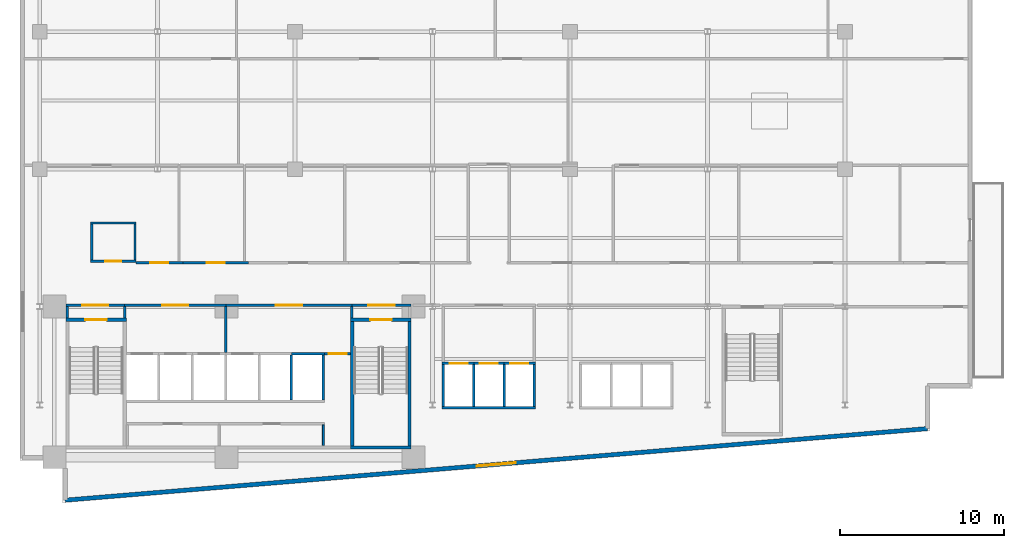
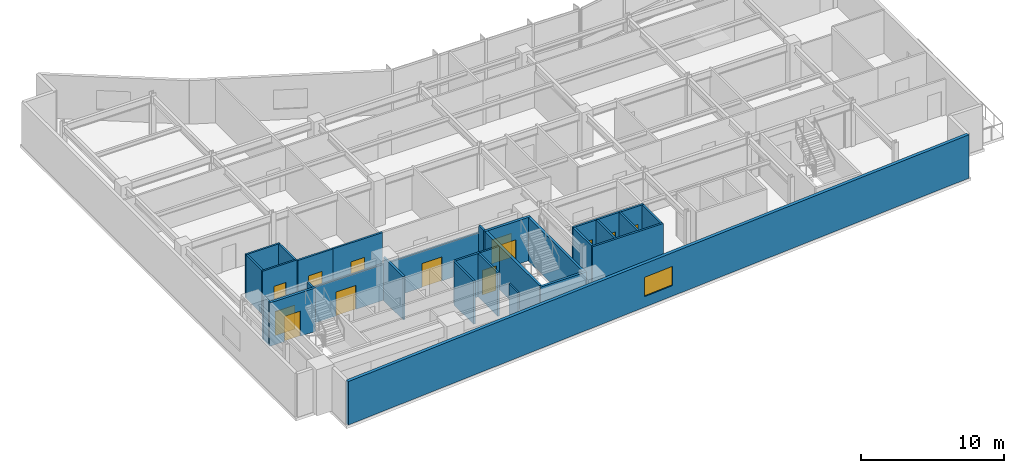
# One storey, part 10 of 18: 33 walls, 13 doors, 1 window, 14 openings.
"""IFC4 building model written with IfcOpenShell, lengths in metres."""

from ifc_helpers import new_model, si_unit, direction, frame, frame_2d, origin, place, context, subcontext, project, spatial, rectangle, extrude, material, layer, layer_set, type_object, element, fill, save


model = new_model("IFC4")

# Units and contexts
model_context = context("Model", 3, precision=1e-05, world=origin(), true_north=direction((0.0, 1.0)))
body_context = subcontext(model_context, "Body", "Model", "MODEL_VIEW")
ifc_project = project(units=[si_unit("LENGTHUNIT", "METRE"), si_unit("AREAUNIT", "SQUARE_METRE"), si_unit("VOLUMEUNIT", "CUBIC_METRE"), si_unit("PLANEANGLEUNIT", "RADIAN"), si_unit("MASSUNIT", "GRAM", prefix="KILO")], contexts=[model_context])

# Site, building, storey
site_placement = place(None, origin())
site = spatial("IfcSite", under=ifc_project, at=site_placement, CompositionType="ELEMENT")
building_placement = place(site_placement, origin())
building = spatial("IfcBuilding", under=site, at=building_placement, Name="Varnakote Quay Hospital", CompositionType="ELEMENT")
storey_placement = place(building_placement, frame((0.0, 0.0, 30.39990234375)))
storey = spatial("IfcBuildingStorey", under=building, at=storey_placement, Name="L07", CompositionType="ELEMENT", Elevation=30.39990234375)

# Wall
ifc_material_1 = material(Name="Fire-rated acoustic gypsum stud wall", Category="gypsum")
ifc_layer_1 = layer(ifc_material_1, 0.159912109375)
ifc_layer_set_1 = layer_set([ifc_layer_1], Name="Fire-rated acoustic gypsum stud wall")
wall_type_1 = type_object("IfcWallType", Name="WL-COMP-160", PredefinedType="PARTITIONING", material=ifc_layer_set_1)
wall_1_placement = place(storey_placement, frame((2.8798828125, 11.300048828125, 0.0), z_axis=(0.0, 0.0, 1.0), x_axis=(0.0, 1.0, 0.0)))
element("IfcWall", 1, at=wall_1_placement, inside=storey, type_object=wall_type_1, Name="L07 West Stair Vestibule West Wall", PredefinedType="PARTITIONING", context=body_context, shape_type="SweptSolid", body=[
    extrude(rectangle(XDim=0.699951171875, YDim=0.159912109375, at=frame_2d((0.35009765625, 0.0))), origin(), (0.0, 0.0, 1.0), 3.710205078125),
])

# Wall, opening, door
wall_2_placement = place(storey_placement, frame((2.800048828125, 12.080078125, 0.0), z_axis=(0.0, 0.0, 1.0), x_axis=(1.0, 0.0, 0.0)))
wall_2 = element("IfcWall", 2, at=wall_2_placement, inside=storey, type_object=wall_type_1, Name="L07 West Stair Vestibule Smoke Wall", PredefinedType="PARTITIONING", context=body_context, shape_type="SweptSolid", body=[
    extrude(rectangle(XDim=3.599853515625, YDim=0.159912109375, at=frame_2d((1.7998046875, 0.0))), origin(), (0.0, 0.0, 1.0), 3.072998046875),
])
opening_1_placement = place(wall_2_placement, frame((1.0, 0.0, 0.0)))
opening_1 = element("IfcOpeningElement", 3, at=opening_1_placement, cuts=wall_2, Name="Opening D-ST1L-L07", PredefinedType="OPENING", context=body_context, shape_type="SweptSolid", body=[
    extrude(rectangle(XDim=1.60009765625, YDim=2.050048828125, at=frame_2d((0.800048828125, 1.02490234375))), frame((0.0, 0.08984375, 0.0), z_axis=(0.0, -1.0, 0.0), x_axis=(1.0, 0.0, 0.0)), (0.0, 0.0, 1.0), 0.179931640625),
])
ifc_material_2 = material(Name="Fire-rated double smoke lobby door")
door_type_1 = type_object("IfcDoorType", Name="DR-LOBBY-FD60S-1600x2150", OperationType="NOTDEFINED", PredefinedType="DOOR", material=ifc_material_2)
door_1_placement = place(opening_1_placement, origin())
door_1 = element("IfcDoor", 4, at=door_1_placement, inside=storey, type_object=door_type_1, Name="L07 West Stair Vestibule Smoke Door", OperationType="DOUBLE_DOOR_SINGLE_SWING", OverallHeight=2.050048828125, OverallWidth=1.60009765625, PredefinedType="DOOR", context=body_context, shape_type="SweptSolid", body=[
    extrude(rectangle(XDim=1.60009765625, YDim=2.050048828125, at=frame_2d((0.800048828125, 1.02490234375))), frame((0.0, 0.02490234375, 0.0), z_axis=(0.0, -1.0, 0.0), x_axis=(1.0, 0.0, 0.0)), (0.0, 0.0, 1.0), 0.050048828125),
])
fill(opening_1, door_1)

# Wall
wall_3_placement = place(storey_placement, frame((6.39990234375, 11.300048828125, 0.0), z_axis=(0.0, 0.0, 1.0), x_axis=(0.0, 1.0, 0.0)))
element("IfcWall", 5, at=wall_3_placement, inside=storey, type_object=wall_type_1, Name="L07 Firefighting Lobby West Wall", PredefinedType="PARTITIONING", context=body_context, shape_type="SweptSolid", body=[
    extrude(rectangle(XDim=0.699951171875, YDim=0.159912109375, at=frame_2d((0.35009765625, 0.0))), origin(), (0.0, 0.0, 1.0), 3.710205078125),
])

# Wall, opening, door
wall_4_placement = place(storey_placement, frame((6.39990234375, 12.080078125, 0.0), z_axis=(0.0, 0.0, 1.0), x_axis=(1.0, 0.0, 0.0)))
wall_4 = element("IfcWall", 6, at=wall_4_placement, inside=storey, type_object=wall_type_1, Name="L07 Firefighting Lift Lobby Compartment Wall", PredefinedType="PARTITIONING", context=body_context, shape_type="SweptSolid", body=[
    extrude(rectangle(XDim=6.18017578125, YDim=0.159912109375, at=frame_2d((3.090087890625, 0.0))), origin(), (0.0, 0.0, 1.0), 3.072998046875),
])
opening_2_placement = place(wall_4_placement, frame((2.2900390625, 0.0, 0.0)))
opening_2 = element("IfcOpeningElement", 7, at=opening_2_placement, cuts=wall_4, Name="Opening D-FFL-L07", PredefinedType="OPENING", context=body_context, shape_type="SweptSolid", body=[
    extrude(rectangle(XDim=1.60009765625, YDim=2.050048828125, at=frame_2d((0.800048828125, 1.02490234375))), frame((0.0, 0.08984375, 0.0), z_axis=(0.0, -1.0, 0.0), x_axis=(1.0, 0.0, 0.0)), (0.0, 0.0, 1.0), 0.179931640625),
])
door_2_placement = place(opening_2_placement, origin())
door_2 = element("IfcDoor", 8, at=door_2_placement, inside=storey, type_object=door_type_1, Name="L07 Firefighting Smoke Vestibule Door", OperationType="DOUBLE_DOOR_SINGLE_SWING", OverallHeight=2.050048828125, OverallWidth=1.60009765625, PredefinedType="DOOR", context=body_context, shape_type="SweptSolid", body=[
    extrude(rectangle(XDim=1.60009765625, YDim=2.050048828125, at=frame_2d((0.800048828125, 1.02490234375))), frame((0.0, 0.02490234375, 0.0), z_axis=(0.0, -1.0, 0.0), x_axis=(1.0, 0.0, 0.0)), (0.0, 0.0, 1.0), 0.050048828125),
])
fill(opening_2, door_2)

# Wall
wall_5_placement = place(storey_placement, frame((12.580078125, 9.2099609375, 0.0), z_axis=(0.0, 0.0, 1.0), x_axis=(0.0, 1.0, 0.0)))
element("IfcWall", 9, at=wall_5_placement, inside=storey, type_object=wall_type_1, Name="L07 Firefighting to Service Lobby Wall", PredefinedType="PARTITIONING", context=body_context, shape_type="SweptSolid", body=[
    extrude(rectangle(XDim=2.7900390625, YDim=0.159912109375, at=frame_2d((1.39501953125, 0.0))), origin(), (0.0, 0.0, 1.0), 3.710205078125),
])

# Wall, opening, door
wall_6_placement = place(storey_placement, frame((12.580078125, 12.080078125, 0.0), z_axis=(0.0, 0.0, 1.0), x_axis=(1.0, 0.0, 0.0)))
wall_6 = element("IfcWall", 10, at=wall_6_placement, inside=storey, type_object=wall_type_1, Name="L07 Clinical Bed Lift Lobby Wall", PredefinedType="PARTITIONING", context=body_context, shape_type="SweptSolid", body=[
    extrude(rectangle(XDim=7.699951171875, YDim=0.159912109375, at=frame_2d((3.85009765625, 0.0))), origin(), (0.0, 0.0, 1.0), 3.072998046875),
])
opening_3_placement = place(wall_6_placement, frame((3.050048828125, 0.0, 0.0)))
opening_3 = element("IfcOpeningElement", 11, at=opening_3_placement, cuts=wall_6, Name="Opening D-SVL-L07", PredefinedType="OPENING", context=body_context, shape_type="SweptSolid", body=[
    extrude(rectangle(XDim=1.60009765625, YDim=2.050048828125, at=frame_2d((0.800048828125, 1.02490234375))), frame((0.0, 0.08984375, 0.0), z_axis=(0.0, -1.0, 0.0), x_axis=(1.0, 0.0, 0.0)), (0.0, 0.0, 1.0), 0.179931640625),
])
door_3_placement = place(opening_3_placement, origin())
door_3 = element("IfcDoor", 12, at=door_3_placement, inside=storey, type_object=door_type_1, Name="L07 Clinical Core Smoke Vestibule Door", OperationType="DOUBLE_DOOR_SINGLE_SWING", OverallHeight=2.050048828125, OverallWidth=1.60009765625, PredefinedType="DOOR", context=body_context, shape_type="SweptSolid", body=[
    extrude(rectangle(XDim=1.60009765625, YDim=2.050048828125, at=frame_2d((0.800048828125, 1.02490234375))), frame((0.0, 0.02490234375, 0.0), z_axis=(0.0, -1.0, 0.0), x_axis=(1.0, 0.0, 0.0)), (0.0, 0.0, 1.0), 0.050048828125),
])
fill(opening_3, door_3)

# Wall
wall_7_placement = place(storey_placement, frame((20.280029296875, 11.300048828125, 0.0), z_axis=(0.0, 0.0, 1.0), x_axis=(0.0, 1.0, 0.0)))
element("IfcWall", 13, at=wall_7_placement, inside=storey, type_object=wall_type_1, Name="L07 East Stair Vestibule Divider Wall", PredefinedType="PARTITIONING", context=body_context, shape_type="SweptSolid", body=[
    extrude(rectangle(XDim=0.699951171875, YDim=0.159912109375, at=frame_2d((0.35009765625, 0.0))), origin(), (0.0, 0.0, 1.0), 3.710205078125),
])

# Wall, opening, door
wall_8_placement = place(storey_placement, frame((20.280029296875, 12.080078125, 0.0), z_axis=(0.0, 0.0, 1.0), x_axis=(1.0, 0.0, 0.0)))
wall_8 = element("IfcWall", 14, at=wall_8_placement, inside=storey, type_object=wall_type_1, Name="L07 East Stair Vestibule Smoke Wall", PredefinedType="PARTITIONING", context=body_context, shape_type="SweptSolid", body=[
    extrude(rectangle(XDim=3.619873046875, YDim=0.159912109375, at=frame_2d((1.81005859375, 0.0))), origin(), (0.0, 0.0, 1.0), 3.072998046875),
])
opening_4_placement = place(wall_8_placement, frame((1.010009765625, 0.0, 0.0)))
opening_4 = element("IfcOpeningElement", 15, at=opening_4_placement, cuts=wall_8, Name="Opening D-ST2L-L07", PredefinedType="OPENING", context=body_context, shape_type="SweptSolid", body=[
    extrude(rectangle(XDim=1.60009765625, YDim=2.050048828125, at=frame_2d((0.800048828125, 1.02490234375))), frame((0.0, 0.08984375, 0.0), z_axis=(0.0, -1.0, 0.0), x_axis=(1.0, 0.0, 0.0)), (0.0, 0.0, 1.0), 0.179931640625),
])
door_4_placement = place(opening_4_placement, origin())
door_4 = element("IfcDoor", 16, at=door_4_placement, inside=storey, type_object=door_type_1, Name="L07 East Stair Vestibule Smoke Door", OperationType="DOUBLE_DOOR_SINGLE_SWING", OverallHeight=2.050048828125, OverallWidth=1.60009765625, PredefinedType="DOOR", context=body_context, shape_type="SweptSolid", body=[
    extrude(rectangle(XDim=1.60009765625, YDim=2.050048828125, at=frame_2d((0.800048828125, 1.02490234375))), frame((0.0, 0.02490234375, 0.0), z_axis=(0.0, -1.0, 0.0), x_axis=(1.0, 0.0, 0.0)), (0.0, 0.0, 1.0), 0.050048828125),
])
fill(opening_4, door_4)

# Wall, opening, window
ifc_material_3 = material(Name="Precast concrete N50 (f'c 50 MPa)", Category="concrete")
ifc_layer_2 = layer(ifc_material_3, 0.260009765625)
ifc_layer_set_2 = layer_set([ifc_layer_2], Name="Precast concrete N50 (f'c 50 MPa)")
wall_type_2 = type_object("IfcWallType", Name="WL-EXT-BRICK-260", PredefinedType="STANDARD", material=ifc_layer_set_2)
wall_9_placement = place(storey_placement, frame((2.760009765625, 0.173828125, 0.0), z_axis=(0.0, 0.0, 1.0), x_axis=(0.996571478456, 0.082736257641, 0.0)))
wall_9 = element("IfcWall", 17, at=wall_9_placement, inside=storey, type_object=wall_type_2, Name="L07 Brick-Faced Precast Exterior Wall", PredefinedType="STANDARD", context=body_context, shape_type="SweptSolid", body=[
    extrude(rectangle(XDim=52.861083984375, YDim=0.260009765625, at=frame_2d((26.4306640625, 0.0))), origin(), (0.0, 0.0, 1.0), 3.710205078125),
])
opening_5_placement = place(wall_9_placement, frame((25.230712890625, 0.0, 0.89990234375)))
opening_5 = element("IfcOpeningElement", 18, at=opening_5_placement, cuts=wall_9, Name="Opening WN-0042", PredefinedType="OPENING", context=body_context, shape_type="SweptSolid", body=[
    extrude(rectangle(XDim=2.39990234375, YDim=1.64990234375, at=frame_2d((1.199951171875, 0.824951171875))), frame((0.0, 0.139892578125, 0.0), z_axis=(0.0, -1.0, 0.0), x_axis=(1.0, 0.0, 0.0)), (0.0, 0.0, 1.0), 0.280029296875),
])
ifc_material_4 = material(Name="Double-glazed low-E solar glass", Category="glass")
window_type = type_object("IfcWindowType", Name="WIN-CLIN-2400x1650", PartitioningType="SINGLE_PANEL", PredefinedType="WINDOW", material=ifc_material_4)
window_placement = place(opening_5_placement, origin())
window = element("IfcWindow", 19, at=window_placement, inside=storey, type_object=window_type, Name="L07 Solar-Control Clinical Window", OverallHeight=1.64990234375, OverallWidth=2.39990234375, PartitioningType="SINGLE_PANEL", PredefinedType="WINDOW", context=body_context, shape_type="SweptSolid", body=[
    extrude(rectangle(XDim=2.39990234375, YDim=1.64990234375, at=frame_2d((1.199951171875, 0.824951171875))), frame((0.0, 0.030029296875, 0.0), z_axis=(0.0, -1.0, 0.0), x_axis=(1.0, 0.0, 0.0)), (0.0, 0.0, 1.0), 0.06005859375),
])
fill(opening_5, window)

# Walls
ifc_material_5 = material(Name="Concrete N50 (f'c 50 MPa)", Category="concrete")
ifc_layer_3 = layer(ifc_material_5, 0.14990234375)
ifc_layer_set_3 = layer_set([ifc_layer_3], Name="Concrete N50 (f'c 50 MPa)")
wall_type_3 = type_object("IfcWallType", Name="WL-SHAFT-N50-150", PredefinedType="SHEAR", material=ifc_layer_set_3)
wall_10_placement = place(storey_placement, frame((16.574951171875, 6.300048828125, 0.0), z_axis=(0.0, 0.0, 1.0), x_axis=(0.0, 1.0, 0.0)))
element("IfcWall", 20, at=wall_10_placement, inside=storey, type_object=wall_type_3, Name="L07 LF-PH1 Hoistway Divider Wall", PredefinedType="SHEAR", context=body_context, shape_type="SweptSolid", body=[
    extrude(rectangle(XDim=2.75, YDim=0.14990234375, at=frame_2d((1.375, 0.0))), origin(), (0.0, 0.0, 1.0), 3.710205078125),
])
for number, where, z_axis, x_axis, name in (
    (21, (27.72509765625, 5.89990234375, 0.0), (0.0, 0.0, 1.0), (0.0, 1.0, 0.0), "L07 LF-PL1 Hoistway Divider Wall"),
    (22, (29.574951171875, 5.89990234375, 0.0), (0.0, 0.0, 1.0), (0.0, 1.0, 0.0), "L07 LF-PL2 Hoistway Divider Wall"),
):
    element("IfcWall", number, at=place(storey_placement, frame(where, z_axis=z_axis, x_axis=x_axis)), inside=storey, type_object=wall_type_3, Name=name, PredefinedType="SHEAR", context=body_context, shape_type="SweptSolid", body=[
        extrude(rectangle(XDim=2.550048828125, YDim=0.14990234375, at=frame_2d((1.27490234375, 0.0))), origin(), (0.0, 0.0, 1.0), 3.710205078125),
    ])
ifc_material_6 = material(Name="Concrete N50 (f'c 50 MPa)", Category="concrete")
ifc_layer_4 = layer(ifc_material_6, 0.159912109375)
ifc_layer_set_4 = layer_set([ifc_layer_4], Name="Concrete N50 (f'c 50 MPa)")
wall_type_4 = type_object("IfcWallType", Name="WL-SHAFT-N50-160", PredefinedType="SHEAR", material=ifc_layer_set_4)
wall_11_placement = place(storey_placement, frame((18.530029296875, 6.300048828125, 0.0), z_axis=(0.0, 0.0, 1.0), x_axis=(0.0, 1.0, 0.0)))
element("IfcWall", 23, at=wall_11_placement, inside=storey, type_object=wall_type_4, Name="L07 REAR Lift Bank East Shear Wall", PredefinedType="SHEAR", context=body_context, shape_type="SweptSolid", body=[
    extrude(rectangle(XDim=2.75, YDim=0.159912109375, at=frame_2d((1.375, 0.0))), origin(), (0.0, 0.0, 1.0), 3.710205078125),
])
wall_12_placement = place(storey_placement, frame((16.574951171875, 9.1298828125, 0.0), z_axis=(0.0, 0.0, 1.0), x_axis=(1.0, 0.0, 0.0)))
element("IfcWall", 24, at=wall_12_placement, inside=storey, type_object=wall_type_4, Name="L07 LF-PH2 Hoistway Front Wall", PredefinedType="SHEAR", context=body_context, shape_type="SweptSolid", body=[
    extrude(rectangle(XDim=2.03515625, YDim=0.159912109375, at=frame_2d((1.017578125, 0.0))), origin(), (0.0, 0.0, 1.0), 3.710205078125),
])
wall_13_placement = place(storey_placement, frame((25.7900390625, 5.820068359375, 0.0), z_axis=(0.0, 0.0, 1.0), x_axis=(1.0, 0.0, 0.0)))
element("IfcWall", 25, at=wall_13_placement, inside=storey, type_object=wall_type_4, Name="L07 LOW Lift Bank Back Shear Wall", PredefinedType="SHEAR", context=body_context, shape_type="SweptSolid", body=[
    extrude(rectangle(XDim=5.719970703125, YDim=0.159912109375, at=frame_2d((2.85986328125, 0.0))), origin(), (0.0, 0.0, 1.0), 3.710205078125),
])
for number, where, z_axis, x_axis, name in (
    (26, (25.8701171875, 5.89990234375, 0.0), (0.0, 0.0, 1.0), (0.0, 1.0, 0.0), "L07 LOW Lift Bank West Shear Wall"),
    (27, (31.429931640625, 5.89990234375, 0.0), (0.0, 0.0, 1.0), (0.0, 1.0, 0.0), "L07 LOW Lift Bank East Shear Wall"),
):
    element("IfcWall", number, at=place(storey_placement, frame(where, z_axis=z_axis, x_axis=x_axis)), inside=storey, type_object=wall_type_4, Name=name, PredefinedType="SHEAR", context=body_context, shape_type="SweptSolid", body=[
        extrude(rectangle(XDim=2.550048828125, YDim=0.159912109375, at=frame_2d((1.27490234375, 0.0))), origin(), (0.0, 0.0, 1.0), 3.710205078125),
    ])

# Wall, opening, door
wall_14_placement = place(storey_placement, frame((25.7900390625, 8.530029296875, 0.0), z_axis=(0.0, 0.0, 1.0), x_axis=(1.0, 0.0, 0.0)))
wall_14 = element("IfcWall", 28, at=wall_14_placement, inside=storey, type_object=wall_type_4, Name="L07 LF-PL1 Hoistway Front Wall", PredefinedType="SHEAR", context=body_context, shape_type="SweptSolid", body=[
    extrude(rectangle(XDim=1.93505859375, YDim=0.159912109375, at=frame_2d((0.967529296875, 0.0))), origin(), (0.0, 0.0, 1.0), 3.710205078125),
])
opening_6_placement = place(wall_14_placement, frame((0.4599609375, 0.0, 0.0)))
opening_6 = element("IfcOpeningElement", 29, at=opening_6_placement, cuts=wall_14, Name="Opening LD-PL1-L07", PredefinedType="OPENING", context=body_context, shape_type="SweptSolid", body=[
    extrude(rectangle(XDim=1.10009765625, YDim=2.14990234375, at=frame_2d((0.550048828125, 1.074951171875))), frame((0.0, 0.08984375, 0.0), z_axis=(0.0, -1.0, 0.0), x_axis=(1.0, 0.0, 0.0)), (0.0, 0.0, 1.0), 0.179931640625),
])
ifc_material_7 = material(Name="Brushed bronze lift landing sliding door")
door_type_2 = type_object("IfcDoorType", Name="DR-LIFT-LD-1100x2150", OperationType="NOTDEFINED", PredefinedType="DOOR", material=ifc_material_7)
door_5_placement = place(opening_6_placement, origin())
door_5 = element("IfcDoor", 30, at=door_5_placement, inside=storey, type_object=door_type_2, Name="L07 LF-PL1 Lift Landing Sliding Door", OperationType="SLIDING_TO_LEFT", OverallHeight=2.14990234375, OverallWidth=1.10009765625, PredefinedType="DOOR", context=body_context, shape_type="SweptSolid", body=[
    extrude(rectangle(XDim=1.10009765625, YDim=2.14990234375, at=frame_2d((0.550048828125, 1.074951171875))), frame((0.0, 0.02490234375, 0.0), z_axis=(0.0, -1.0, 0.0), x_axis=(1.0, 0.0, 0.0)), (0.0, 0.0, 1.0), 0.050048828125),
])
fill(opening_6, door_5)

wall_15_placement = place(storey_placement, frame((27.72509765625, 8.530029296875, 0.0), z_axis=(0.0, 0.0, 1.0), x_axis=(1.0, 0.0, 0.0)))
wall_15 = element("IfcWall", 31, at=wall_15_placement, inside=storey, type_object=wall_type_4, Name="L07 LF-PL2 Hoistway Front Wall", PredefinedType="SHEAR", context=body_context, shape_type="SweptSolid", body=[
    extrude(rectangle(XDim=1.849853515625, YDim=0.159912109375, at=frame_2d((0.9248046875, 0.0))), origin(), (0.0, 0.0, 1.0), 3.710205078125),
])
opening_7_placement = place(wall_15_placement, frame((0.375, 0.0, 0.0)))
opening_7 = element("IfcOpeningElement", 32, at=opening_7_placement, cuts=wall_15, Name="Opening LD-PL2-L07", PredefinedType="OPENING", context=body_context, shape_type="SweptSolid", body=[
    extrude(rectangle(XDim=1.10009765625, YDim=2.14990234375, at=frame_2d((0.550048828125, 1.074951171875))), frame((0.0, 0.08984375, 0.0), z_axis=(0.0, -1.0, 0.0), x_axis=(1.0, 0.0, 0.0)), (0.0, 0.0, 1.0), 0.179931640625),
])
door_6_placement = place(opening_7_placement, origin())
door_6 = element("IfcDoor", 33, at=door_6_placement, inside=storey, type_object=door_type_2, Name="L07 LF-PL2 Lift Landing Sliding Door", OperationType="SLIDING_TO_LEFT", OverallHeight=2.14990234375, OverallWidth=1.10009765625, PredefinedType="DOOR", context=body_context, shape_type="SweptSolid", body=[
    extrude(rectangle(XDim=1.10009765625, YDim=2.14990234375, at=frame_2d((0.550048828125, 1.074951171875))), frame((0.0, 0.02490234375, 0.0), z_axis=(0.0, -1.0, 0.0), x_axis=(1.0, 0.0, 0.0)), (0.0, 0.0, 1.0), 0.050048828125),
])
fill(opening_7, door_6)

wall_16_placement = place(storey_placement, frame((29.574951171875, 8.530029296875, 0.0), z_axis=(0.0, 0.0, 1.0), x_axis=(1.0, 0.0, 0.0)))
wall_16 = element("IfcWall", 34, at=wall_16_placement, inside=storey, type_object=wall_type_4, Name="L07 LF-PL3 Hoistway Front Wall", PredefinedType="SHEAR", context=body_context, shape_type="SweptSolid", body=[
    extrude(rectangle(XDim=1.93505859375, YDim=0.159912109375, at=frame_2d((0.967529296875, 0.0))), origin(), (0.0, 0.0, 1.0), 3.710205078125),
])
opening_8_placement = place(wall_16_placement, frame((0.375, 0.0, 0.0)))
opening_8 = element("IfcOpeningElement", 35, at=opening_8_placement, cuts=wall_16, Name="Opening LD-PL3-L07", PredefinedType="OPENING", context=body_context, shape_type="SweptSolid", body=[
    extrude(rectangle(XDim=1.10009765625, YDim=2.14990234375, at=frame_2d((0.550048828125, 1.074951171875))), frame((0.0, 0.08984375, 0.0), z_axis=(0.0, -1.0, 0.0), x_axis=(1.0, 0.0, 0.0)), (0.0, 0.0, 1.0), 0.179931640625),
])
door_7_placement = place(opening_8_placement, origin())
door_7 = element("IfcDoor", 36, at=door_7_placement, inside=storey, type_object=door_type_2, Name="L07 LF-PL3 Lift Landing Sliding Door", OperationType="SLIDING_TO_LEFT", OverallHeight=2.14990234375, OverallWidth=1.10009765625, PredefinedType="DOOR", context=body_context, shape_type="SweptSolid", body=[
    extrude(rectangle(XDim=1.10009765625, YDim=2.14990234375, at=frame_2d((0.550048828125, 1.074951171875))), frame((0.0, 0.02490234375, 0.0), z_axis=(0.0, -1.0, 0.0), x_axis=(1.0, 0.0, 0.0)), (0.0, 0.0, 1.0), 0.050048828125),
])
fill(opening_8, door_7)

ifc_material_8 = material(Name="Concrete N50 (f'c 50 MPa)", Category="concrete")
ifc_layer_5 = layer(ifc_material_8, 0.199951171875)
ifc_layer_set_5 = layer_set([ifc_layer_5], Name="Concrete N50 (f'c 50 MPa)")
wall_type_5 = type_object("IfcWallType", Name="WL-SHAFT-N50-200", PredefinedType="SHEAR", material=ifc_layer_set_5)
wall_17_placement = place(storey_placement, frame((2.800048828125, 11.199951171875, 0.0), z_axis=(0.0, 0.0, 1.0), x_axis=(1.0, 0.0, 0.0)))
wall_17 = element("IfcWall", 37, at=wall_17_placement, inside=storey, type_object=wall_type_5, Name="L07 Stair ST1 Exit Wall", PredefinedType="SHEAR", context=body_context, shape_type="SweptSolid", body=[
    extrude(rectangle(XDim=3.699951171875, YDim=0.199951171875, at=frame_2d((1.85009765625, 0.0))), origin(), (0.0, 0.0, 1.0), 3.710205078125),
])
opening_9_placement = place(wall_17_placement, frame((1.199951171875, 0.0, 0.0)))
opening_9 = element("IfcOpeningElement", 38, at=opening_9_placement, cuts=wall_17, Name="Opening D-ST1-L07", PredefinedType="OPENING", context=body_context, shape_type="SweptSolid", body=[
    extrude(rectangle(XDim=1.300048828125, YDim=2.14990234375, at=frame_2d((0.64990234375, 1.074951171875))), frame((0.0, 0.10986328125, 0.0), z_axis=(0.0, -1.0, 0.0), x_axis=(1.0, 0.0, 0.0)), (0.0, 0.0, 1.0), 0.219970703125),
])
ifc_material_9 = material(Name="Fire-rated ceramic-glazed timber exit door", Category="wood")
door_type_3 = type_object("IfcDoorType", Name="DR-STAIR-FD60S-1300x2150", OperationType="NOTDEFINED", PredefinedType="DOOR", material=ifc_material_9)
door_8_placement = place(opening_9_placement, origin())
door_8 = element("IfcDoor", 39, at=door_8_placement, inside=storey, type_object=door_type_3, Name="L07 Stair ST1 Fire Exit Door", OperationType="SINGLE_SWING_LEFT", OverallHeight=2.14990234375, OverallWidth=1.300048828125, PredefinedType="DOOR", context=body_context, shape_type="SweptSolid", body=[
    extrude(rectangle(XDim=1.300048828125, YDim=2.14990234375, at=frame_2d((0.64990234375, 1.074951171875))), frame((0.0, 0.02490234375, 0.0), z_axis=(0.0, -1.0, 0.0), x_axis=(1.0, 0.0, 0.0)), (0.0, 0.0, 1.0), 0.050048828125),
])
fill(opening_9, door_8)

# Walls
wall_18_placement = place(storey_placement, frame((20.199951171875, 3.39990234375, 0.0), z_axis=(0.0, 0.0, 1.0), x_axis=(1.0, 0.0, 0.0)))
element("IfcWall", 40, at=wall_18_placement, inside=storey, type_object=wall_type_5, Name="L07 Stair ST2 South Shaft Wall", PredefinedType="SHEAR", context=body_context, shape_type="SweptSolid", body=[
    extrude(rectangle(XDim=3.699951171875, YDim=0.199951171875, at=frame_2d((1.85009765625, 0.0))), origin(), (0.0, 0.0, 1.0), 3.710205078125),
])
for number, where, z_axis, x_axis, name in (
    (41, (20.300048828125, 3.5, 0.0), (0.0, 0.0, 1.0), (0.0, 1.0, 0.0), "L07 Stair ST2 West Shaft Wall"),
    (42, (23.800048828125, 3.5, 0.0), (0.0, 0.0, 1.0), (0.0, 1.0, 0.0), "L07 Stair ST2 East Shaft Wall"),
):
    element("IfcWall", number, at=place(storey_placement, frame(where, z_axis=z_axis, x_axis=x_axis)), inside=storey, type_object=wall_type_5, Name=name, PredefinedType="SHEAR", context=body_context, shape_type="SweptSolid", body=[
        extrude(rectangle(XDim=7.60009765625, YDim=0.199951171875, at=frame_2d((3.800048828125, 0.0))), origin(), (0.0, 0.0, 1.0), 3.710205078125),
    ])

# Wall, opening, door
wall_19_placement = place(storey_placement, frame((20.199951171875, 11.199951171875, 0.0), z_axis=(0.0, 0.0, 1.0), x_axis=(1.0, 0.0, 0.0)))
wall_19 = element("IfcWall", 43, at=wall_19_placement, inside=storey, type_object=wall_type_5, Name="L07 Stair ST2 Exit Wall", PredefinedType="SHEAR", context=body_context, shape_type="SweptSolid", body=[
    extrude(rectangle(XDim=3.699951171875, YDim=0.199951171875, at=frame_2d((1.85009765625, 0.0))), origin(), (0.0, 0.0, 1.0), 3.710205078125),
])
opening_10_placement = place(wall_19_placement, frame((1.199951171875, 0.0, 0.0)))
opening_10 = element("IfcOpeningElement", 44, at=opening_10_placement, cuts=wall_19, Name="Opening D-ST2-L07", PredefinedType="OPENING", context=body_context, shape_type="SweptSolid", body=[
    extrude(rectangle(XDim=1.300048828125, YDim=2.14990234375, at=frame_2d((0.64990234375, 1.074951171875))), frame((0.0, 0.10986328125, 0.0), z_axis=(0.0, -1.0, 0.0), x_axis=(1.0, 0.0, 0.0)), (0.0, 0.0, 1.0), 0.219970703125),
])
door_9_placement = place(opening_10_placement, origin())
door_9 = element("IfcDoor", 45, at=door_9_placement, inside=storey, type_object=door_type_3, Name="L07 Stair ST2 Fire Exit Door", OperationType="SINGLE_SWING_RIGHT", OverallHeight=2.14990234375, OverallWidth=1.300048828125, PredefinedType="DOOR", context=body_context, shape_type="SweptSolid", body=[
    extrude(rectangle(XDim=1.300048828125, YDim=2.14990234375, at=frame_2d((0.64990234375, 1.074951171875))), frame((0.0, 0.02490234375, 0.0), z_axis=(0.0, -1.0, 0.0), x_axis=(1.0, 0.0, 0.0)), (0.0, 0.0, 1.0), 0.050048828125),
])
fill(opening_10, door_9)

# Wall
ifc_material_10 = material(Name="Smoke-proof clinical partition", Category="gypsum")
ifc_layer_6 = layer(ifc_material_10, 0.1201171875)
ifc_layer_set_6 = layer_set([ifc_layer_6], Name="Smoke-proof clinical partition")
wall_type_6 = type_object("IfcWallType", Name="WL-SMOKE-120", PredefinedType="PARTITIONING", material=ifc_layer_set_6)
wall_20_placement = place(storey_placement, frame((18.5400390625, 3.52001953125, 0.0), z_axis=(0.0, 0.0, 1.0), x_axis=(0.0, 1.0, 0.0)))
element("IfcWall", 46, at=wall_20_placement, inside=storey, type_object=wall_type_6, Name="L07 Core South Service East Wall", PredefinedType="PARTITIONING", context=body_context, shape_type="SweptSolid", body=[
    extrude(rectangle(XDim=1.260009765625, YDim=0.1201171875, at=frame_2d((0.6298828125, 0.0))), origin(), (0.0, 0.0, 1.0), 3.710205078125),
])

# Wall, opening, door
ifc_material_11 = material(Name="Fire-rated clinical gypsum partition", Category="gypsum")
ifc_layer_7 = layer(ifc_material_11, 0.139892578125)
ifc_layer_set_7 = layer_set([ifc_layer_7], Name="Fire-rated clinical gypsum partition")
wall_type_7 = type_object("IfcWallType", Name="WL-WARD-140", PredefinedType="PARTITIONING", material=ifc_layer_set_7)
wall_21_placement = place(storey_placement, frame((18.610107421875, 9.1298828125, 0.0), z_axis=(0.0, 0.0, 1.0), x_axis=(1.0, 0.0, 0.0)))
wall_21 = element("IfcWall", 47, at=wall_21_placement, inside=storey, type_object=wall_type_7, Name="L07 Core Service Corridor North Door Wall", PredefinedType="PARTITIONING", context=body_context, shape_type="SweptSolid", body=[
    extrude(rectangle(XDim=1.58984375, YDim=0.139892578125, at=frame_2d((0.794921875, 0.0))), origin(), (0.0, 0.0, 1.0), 3.710205078125),
])
opening_11_placement = place(wall_21_placement, frame((0.239990234375, 0.0, 0.0)))
opening_11 = element("IfcOpeningElement", 48, at=opening_11_placement, cuts=wall_21, Name="Opening D-CSRV-L07", PredefinedType="OPENING", context=body_context, shape_type="SweptSolid", body=[
    extrude(rectangle(XDim=1.10009765625, YDim=2.10009765625, at=frame_2d((0.550048828125, 1.050048828125))), frame((0.0, 0.079833984375, 0.0), z_axis=(0.0, -1.0, 0.0), x_axis=(1.0, 0.0, 0.0)), (0.0, 0.0, 1.0), 0.159912109375),
])
ifc_material_12 = material(Name="Acoustic timber clinical consult door", Category="wood")
door_type_4 = type_object("IfcDoorType", Name="DR-CLIN-FD30S-1100x2100", OperationType="NOTDEFINED", PredefinedType="DOOR", material=ifc_material_12)
door_10_placement = place(opening_11_placement, origin())
door_10 = element("IfcDoor", 49, at=door_10_placement, inside=storey, type_object=door_type_4, Name="L07 Core Service Corridor Door", OperationType="SINGLE_SWING_RIGHT", OverallHeight=2.10009765625, OverallWidth=1.10009765625, PredefinedType="DOOR", context=body_context, shape_type="SweptSolid", body=[
    extrude(rectangle(XDim=1.10009765625, YDim=2.10009765625, at=frame_2d((0.550048828125, 1.050048828125))), frame((0.0, 0.02490234375, 0.0), z_axis=(0.0, -1.0, 0.0), x_axis=(1.0, 0.0, 0.0)), (0.0, 0.0, 1.0), 0.050048828125),
])
fill(opening_11, door_10)

wall_22_placement = place(storey_placement, frame((4.31005859375, 14.77001953125, 0.0), z_axis=(0.0, 0.0, 1.0), x_axis=(1.0, 0.0, 0.0)))
wall_22 = element("IfcWall", 50, at=wall_22_placement, inside=storey, type_object=wall_type_7, Name="L07 Floor Unisex Accessible WC S Wall", PredefinedType="PARTITIONING", context=body_context, shape_type="SweptSolid", body=[
    extrude(rectangle(XDim=2.780029296875, YDim=0.139892578125, at=frame_2d((1.39013671875, 0.0))), origin(), (0.0, 0.0, 1.0), 3.710205078125),
])
opening_12_placement = place(wall_22_placement, frame((0.89990234375, 0.0, 0.0)))
opening_12 = element("IfcOpeningElement", 51, at=opening_12_placement, cuts=wall_22, Name="Opening D-L07-EW01", PredefinedType="OPENING", context=body_context, shape_type="SweptSolid", body=[
    extrude(rectangle(XDim=0.97998046875, YDim=2.10009765625, at=frame_2d((0.489990234375, 1.050048828125))), frame((0.0, 0.079833984375, 0.0), z_axis=(0.0, -1.0, 0.0), x_axis=(1.0, 0.0, 0.0)), (0.0, 0.0, 1.0), 0.159912109375),
])
ifc_material_13 = material(Name="Accessible sanitary compartment door")
door_type_5 = type_object("IfcDoorType", Name="DR-WC-980x2100", OperationType="NOTDEFINED", PredefinedType="DOOR", material=ifc_material_13)
door_11_placement = place(opening_12_placement, origin())
door_11 = element("IfcDoor", 52, at=door_11_placement, inside=storey, type_object=door_type_5, Name="L07 Floor Unisex Accessible WC Door", OperationType="SINGLE_SWING_LEFT", OverallHeight=2.10009765625, OverallWidth=0.97998046875, PredefinedType="DOOR", context=body_context, shape_type="SweptSolid", body=[
    extrude(rectangle(XDim=0.97998046875, YDim=2.10009765625, at=frame_2d((0.489990234375, 1.050048828125))), frame((0.0, 0.02490234375, 0.0), z_axis=(0.0, -1.0, 0.0), x_axis=(1.0, 0.0, 0.0)), (0.0, 0.0, 1.0), 0.050048828125),
])
fill(opening_12, door_11)

# Walls
wall_23_placement = place(storey_placement, frame((4.31005859375, 17.110107421875, 0.0), z_axis=(0.0, 0.0, 1.0), x_axis=(1.0, 0.0, 0.0)))
element("IfcWall", 53, at=wall_23_placement, inside=storey, type_object=wall_type_7, Name="L07 Floor Unisex Accessible WC N Wall", PredefinedType="PARTITIONING", context=body_context, shape_type="SweptSolid", body=[
    extrude(rectangle(XDim=2.780029296875, YDim=0.139892578125, at=frame_2d((1.39013671875, 0.0))), origin(), (0.0, 0.0, 1.0), 3.710205078125),
])
for number, where, z_axis, x_axis, name in (
    (54, (4.3798828125, 14.840087890625, 0.0), (0.0, 0.0, 1.0), (0.0, 1.0, 0.0), "L07 Floor Unisex Accessible WC W Wall"),
    (55, (7.02001953125, 14.840087890625, 0.0), (0.0, 0.0, 1.0), (0.0, 1.0, 0.0), "L07 Floor Unisex Accessible WC E Wall"),
):
    element("IfcWall", number, at=place(storey_placement, frame(where, z_axis=z_axis, x_axis=x_axis)), inside=storey, type_object=wall_type_7, Name=name, PredefinedType="PARTITIONING", context=body_context, shape_type="SweptSolid", body=[
        extrude(rectangle(XDim=2.199951171875, YDim=0.139892578125, at=frame_2d((1.10009765625, 0.0))), origin(), (0.0, 0.0, 1.0), 3.710205078125),
    ])

# Wall, opening, door
ifc_material_14 = material(Name="Fire-rated clinical gypsum partition", Category="gypsum")
ifc_layer_8 = layer(ifc_material_14, 0.14990234375)
ifc_layer_set_8 = layer_set([ifc_layer_8], Name="Fire-rated clinical gypsum partition")
wall_type_8 = type_object("IfcWallType", Name="WL-WARD-150", PredefinedType="PARTITIONING", material=ifc_layer_set_8)
wall_24_placement = place(storey_placement, frame((9.946044921875, 14.679931640625, 0.0), z_axis=(0.0, 0.0, 1.0), x_axis=(-1.0, 0.0, 0.0)))
wall_24 = element("IfcWall", 56, at=wall_24_placement, inside=storey, type_object=wall_type_8, Name="L07 Clinical Interior Partition", PredefinedType="PARTITIONING", context=body_context, shape_type="SweptSolid", body=[
    extrude(rectangle(XDim=2.85400390625, YDim=0.14990234375, at=frame_2d((1.427001953125, 0.0))), origin(), (0.0, 0.0, 1.0), 3.710205078125),
])
opening_13_placement = place(wall_24_placement, frame((0.876953125, 0.0, 0.0)))
opening_13 = element("IfcOpeningElement", 57, at=opening_13_placement, cuts=wall_24, Name="Opening D-L07-MD01", PredefinedType="OPENING", context=body_context, shape_type="SweptSolid", body=[
    extrude(rectangle(XDim=1.10009765625, YDim=2.10009765625, at=frame_2d((0.550048828125, 1.050048828125))), frame((0.0, 0.0849609375, 0.0), z_axis=(0.0, -1.0, 0.0), x_axis=(1.0, 0.0, 0.0)), (0.0, 0.0, 1.0), 0.169921875),
])
door_12_placement = place(opening_13_placement, origin())
door_12 = element("IfcDoor", 58, at=door_12_placement, inside=storey, type_object=door_type_4, Name="L07 Day Procedure Treatment Suite Door", OperationType="SINGLE_SWING_LEFT", OverallHeight=2.10009765625, OverallWidth=1.10009765625, PredefinedType="DOOR", context=body_context, shape_type="SweptSolid", body=[
    extrude(rectangle(XDim=1.10009765625, YDim=2.10009765625, at=frame_2d((0.550048828125, 1.050048828125))), frame((0.0, 0.02490234375, 0.0), z_axis=(0.0, -1.0, 0.0), x_axis=(1.0, 0.0, 0.0)), (0.0, 0.0, 1.0), 0.050048828125),
])
fill(opening_13, door_12)

wall_25_placement = place(storey_placement, frame((13.946044921875, 14.679931640625, 0.0), z_axis=(0.0, 0.0, 1.0), x_axis=(-1.0, 0.0, 0.0)))
wall_25 = element("IfcWall", 59, at=wall_25_placement, inside=storey, type_object=wall_type_8, Name="L07 Clinical Interior Partition", PredefinedType="PARTITIONING", context=body_context, shape_type="SweptSolid", body=[
    extrude(rectangle(XDim=3.998046875, YDim=0.14990234375, at=frame_2d((1.9990234375, 0.0))), origin(), (0.0, 0.0, 1.0), 3.710205078125),
])
opening_14_placement = place(wall_25_placement, frame((1.448974609375, 0.0, 0.0)))
opening_14 = element("IfcOpeningElement", 60, at=opening_14_placement, cuts=wall_25, Name="Opening D-L07-MD02", PredefinedType="OPENING", context=body_context, shape_type="SweptSolid", body=[
    extrude(rectangle(XDim=1.10009765625, YDim=2.10009765625, at=frame_2d((0.550048828125, 1.050048828125))), frame((0.0, 0.0849609375, 0.0), z_axis=(0.0, -1.0, 0.0), x_axis=(1.0, 0.0, 0.0)), (0.0, 0.0, 1.0), 0.169921875),
])
door_13_placement = place(opening_14_placement, origin())
door_13 = element("IfcDoor", 61, at=door_13_placement, inside=storey, type_object=door_type_4, Name="L07 Endoscopy Infusion Treatment Suite Door", OperationType="SINGLE_SWING_RIGHT", OverallHeight=2.10009765625, OverallWidth=1.10009765625, PredefinedType="DOOR", context=body_context, shape_type="SweptSolid", body=[
    extrude(rectangle(XDim=1.10009765625, YDim=2.10009765625, at=frame_2d((0.550048828125, 1.050048828125))), frame((0.0, 0.02490234375, 0.0), z_axis=(0.0, -1.0, 0.0), x_axis=(1.0, 0.0, 0.0)), (0.0, 0.0, 1.0), 0.050048828125),
])
fill(opening_14, door_13)

save(model, "model.ifc")
